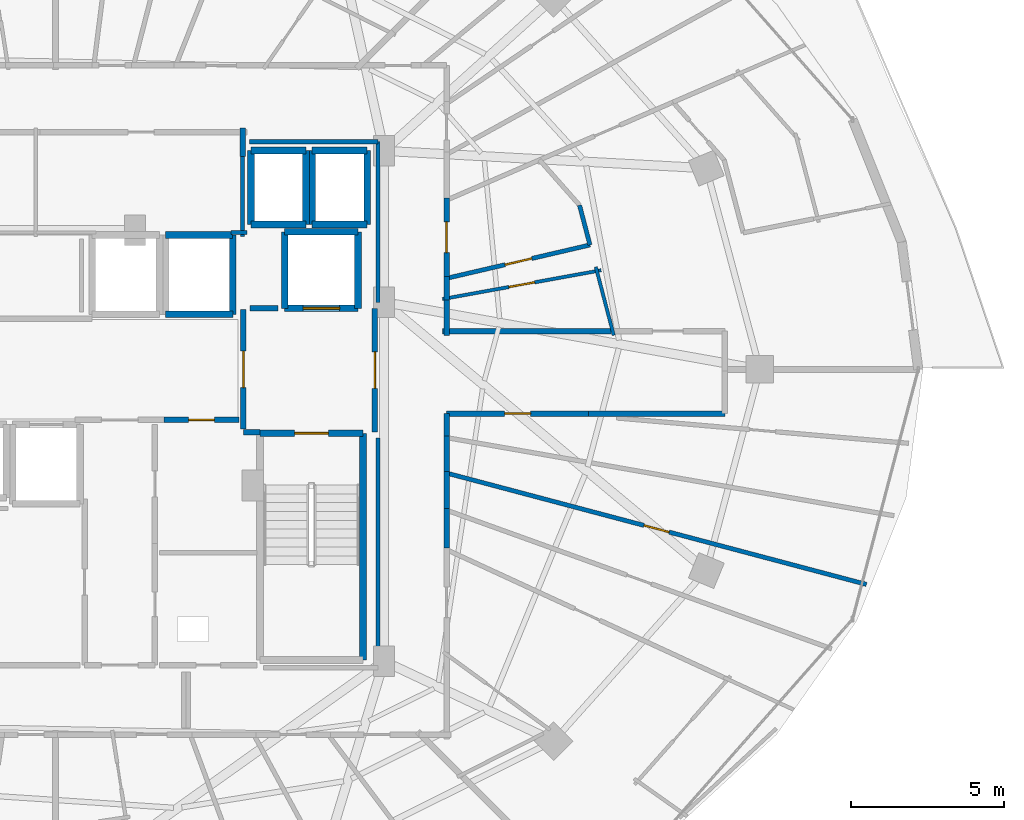
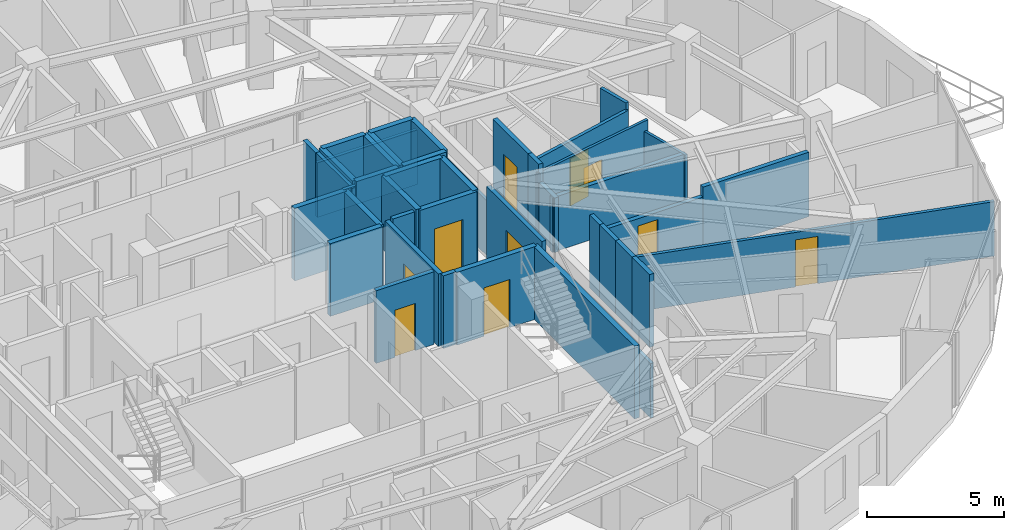
# One storey, part 27 of 33: 43 walls, 10 doors, 10 openings.
"""IFC4 building model written with IfcOpenShell, lengths in metres."""

from ifc_helpers import new_model, si_unit, direction, frame, frame_2d, origin, place, context, subcontext, project, spatial, rectangle, extrude, material, layer, layer_set, type_object, element, fill, save


model = new_model("IFC4")

# Units and contexts
model_context = context("Model", 3, precision=1e-05, world=origin(), true_north=direction((0.0, 1.0)))
body_context = subcontext(model_context, "Body", "Model", "MODEL_VIEW")
ifc_project = project(units=[si_unit("LENGTHUNIT", "METRE"), si_unit("AREAUNIT", "SQUARE_METRE"), si_unit("VOLUMEUNIT", "CUBIC_METRE"), si_unit("PLANEANGLEUNIT", "RADIAN"), si_unit("MASSUNIT", "GRAM", prefix="KILO")], contexts=[model_context])

# Site, building, storey
site_placement = place(None, origin())
site = spatial("IfcSite", under=ifc_project, at=site_placement, CompositionType="ELEMENT")
building_placement = place(site_placement, origin())
building = spatial("IfcBuilding", under=site, at=building_placement, Name="Vorneva Point Tower", CompositionType="ELEMENT")
storey_placement = place(building_placement, frame((0.0, 0.0, 179.10009765625)))
storey = spatial("IfcBuildingStorey", under=building, at=storey_placement, Name="L48", CompositionType="ELEMENT", Elevation=179.10009765625)

# Wall, opening, door
ifc_material_1 = material(Name="Concrete B60 (C50/60)", Category="concrete")
ifc_layer_1 = layer(ifc_material_1, 0.35009765625)
ifc_layer_set_1 = layer_set([ifc_layer_1], Name="Concrete B60 (C50/60)")
wall_type_1 = type_object("IfcWallType", Name="WL-CORE-350", PredefinedType="SHEAR", material=ifc_layer_set_1)
wall_1_placement = place(storey_placement, frame((45.5, 28.0, 0.0), z_axis=(0.0, 0.0, 1.0), x_axis=(1.0, 0.0, 0.0)))
wall_1 = element("IfcWall", 1, at=wall_1_placement, inside=storey, type_object=wall_type_1, Name="L48 Lift FFL2 Shaft Wall -Y", PredefinedType="SHEAR", context=body_context, shape_type="SweptSolid", body=[
    extrude(rectangle(XDim=2.39990234375, YDim=0.219970703125, at=frame_2d((1.199951171875, 0.0))), origin(), (0.0, 0.0, 1.0), 3.239990234375),
])
opening_1_placement = place(wall_1_placement, frame((0.60009765625, 0.0, 0.0)))
opening_1 = element("IfcOpeningElement", 2, at=opening_1_placement, cuts=wall_1, Name="Opening LD-02", PredefinedType="OPENING", context=body_context, shape_type="SweptSolid", body=[
    extrude(rectangle(XDim=1.199951171875, YDim=2.199951171875, at=frame_2d((0.60009765625, 1.10009765625))), frame((0.0, 0.125, 0.0), z_axis=(0.0, -1.0, 0.0), x_axis=(1.0, 0.0, 0.0)), (0.0, 0.0, 1.0), 0.249755859375),
])
ifc_material_2 = material(Name="Brushed stainless steel S304", Category="steel")
door_type_1 = type_object("IfcDoorType", Name="LD-FIRE-1200", OperationType="SLIDING_TO_LEFT", PredefinedType="DOOR", material=ifc_material_2)
door_1_placement = place(opening_1_placement, origin())
door_1 = element("IfcDoor", 3, at=door_1_placement, inside=storey, type_object=door_type_1, Name="L48 Lift FFL2 Sliding Landing Door", OperationType="SLIDING_TO_LEFT", OverallHeight=2.199951171875, OverallWidth=1.199951171875, PredefinedType="DOOR", context=body_context, shape_type="SweptSolid", body=[
    extrude(rectangle(XDim=1.199951171875, YDim=2.199951171875, at=frame_2d((0.60009765625, 1.10009765625))), frame((0.0, 0.02490234375, 0.0), z_axis=(0.0, -1.0, 0.0), x_axis=(1.0, 0.0, 0.0)), (0.0, 0.0, 1.0), 0.050048828125),
])
fill(opening_1, door_1)

# Walls
wall_2_placement = place(storey_placement, frame((47.89990234375, 28.0, 0.0), z_axis=(0.0, 0.0, 1.0), x_axis=(0.0, 1.0, 0.0)))
element("IfcWall", 4, at=wall_2_placement, inside=storey, type_object=wall_type_1, Name="L48 Lift FFL2 Shaft Wall +X", PredefinedType="SHEAR", context=body_context, shape_type="SweptSolid", body=[
    extrude(rectangle(XDim=2.5, YDim=0.219970703125, at=frame_2d((1.25, 0.0))), origin(), (0.0, 0.0, 1.0), 3.239990234375),
])
wall_3_placement = place(storey_placement, frame((47.89990234375, 30.5, 0.0), z_axis=(0.0, 0.0, 1.0), x_axis=(-1.0, 0.0, 0.0)))
element("IfcWall", 5, at=wall_3_placement, inside=storey, type_object=wall_type_1, Name="L48 Lift FFL2 Shaft Wall +Y", PredefinedType="SHEAR", context=body_context, shape_type="SweptSolid", body=[
    extrude(rectangle(XDim=2.39990234375, YDim=0.219970703125, at=frame_2d((1.199951171875, 0.0))), origin(), (0.0, 0.0, 1.0), 3.239990234375),
])
wall_4_placement = place(storey_placement, frame((45.5, 30.5, 0.0), z_axis=(0.0, 0.0, 1.0), x_axis=(0.0, -1.0, 0.0)))
element("IfcWall", 6, at=wall_4_placement, inside=storey, type_object=wall_type_1, Name="L48 Lift FFL2 Shaft Wall -X", PredefinedType="SHEAR", context=body_context, shape_type="SweptSolid", body=[
    extrude(rectangle(XDim=2.5, YDim=0.219970703125, at=frame_2d((1.25, 0.0))), origin(), (0.0, 0.0, 1.0), 3.239990234375),
])

# Wall, opening, door
ifc_material_3 = material(Name="Fire-rated acoustic gypsum stud partition", Category="gypsum")
ifc_layer_2 = layer(ifc_material_3, 0.110107421875)
ifc_layer_set_2 = layer_set([ifc_layer_2], Name="Fire-rated acoustic gypsum stud partition")
wall_type_2 = type_object("IfcWallType", Name="WL-PART-110", PredefinedType="PARTITIONING", material=ifc_layer_set_2)
wall_5_placement = place(storey_placement, frame((50.662353515625, 28.300048828125, 0.0), z_axis=(0.0, 0.0, 1.0), x_axis=(0.983892120625, 0.178763237197, 0.0)))
wall_5 = element("IfcWall", 7, at=wall_5_placement, inside=storey, type_object=wall_type_2, Name="L48 Interior Partition 092", PredefinedType="PARTITIONING", context=body_context, shape_type="SweptSolid", body=[
    extrude(rectangle(XDim=5.2744140625, YDim=0.110107421875, at=frame_2d((2.63720703125, 0.0))), origin(), (0.0, 0.0, 1.0), 2.8740234375),
])
opening_2_placement = place(wall_5_placement, frame((2.212158203125, 0.0, 0.0)))
opening_2 = element("IfcOpeningElement", 8, at=opening_2_placement, cuts=wall_5, Name="Opening ID-02", PredefinedType="OPENING", context=body_context, shape_type="SweptSolid", body=[
    extrude(rectangle(XDim=0.85009765625, YDim=2.10009765625, at=frame_2d((0.425048828125, 1.050048828125))), frame((0.0, 0.06982421875, 0.0), z_axis=(0.0, -1.0, 0.0), x_axis=(1.0, 0.0, 0.0)), (0.0, 0.0, 1.0), 0.139892578125),
])
ifc_material_4 = material(Name="Engineered oak fire-rated door leaf", Category="wood")
door_type_2 = type_object("IfcDoorType", Name="DR-BATH-850", OperationType="NOTDEFINED", PredefinedType="DOOR", material=ifc_material_4)
door_2_placement = place(opening_2_placement, origin())
door_2 = element("IfcDoor", 9, at=door_2_placement, inside=storey, type_object=door_type_2, Name="L48 Door Living and Dining Room L48-01 / Bathroom L48-01", OperationType="SINGLE_SWING_LEFT", OverallHeight=2.10009765625, OverallWidth=0.85009765625, PredefinedType="DOOR", context=body_context, shape_type="SweptSolid", body=[
    extrude(rectangle(XDim=0.85009765625, YDim=2.10009765625, at=frame_2d((0.425048828125, 1.050048828125))), frame((0.0, 0.02490234375, 0.0), z_axis=(0.0, -1.0, 0.0), x_axis=(1.0, 0.0, 0.0)), (0.0, 0.0, 1.0), 0.050048828125),
])
fill(opening_2, door_2)

# Walls
wall_6_placement = place(storey_placement, frame((55.678466796875, 29.353515625, 0.0), z_axis=(0.0, 0.0, 1.0), x_axis=(0.254057219361, -0.96718919002, 0.0)))
element("IfcWall", 10, at=wall_6_placement, inside=storey, type_object=wall_type_2, Name="L48 Interior Partition 093", PredefinedType="PARTITIONING", context=body_context, shape_type="SweptSolid", body=[
    extrude(rectangle(XDim=2.31494140625, YDim=0.110107421875, at=frame_2d((1.157470703125, 0.0))), origin(), (0.0, 0.0, 1.0), 2.431884765625),
])
ifc_layer_3 = layer(ifc_material_3, 0.139892578125)
ifc_layer_set_3 = layer_set([ifc_layer_3], Name="Fire-rated acoustic gypsum stud partition")
wall_type_3 = type_object("IfcWallType", Name="WL-PART-140", PredefinedType="PARTITIONING", material=ifc_layer_set_3)
wall_7_placement = place(storey_placement, frame((55.14697265625, 31.37109375, 0.0), z_axis=(0.0, 0.0, 1.0), x_axis=(0.25443966192, -0.967088650767, 0.0)))
element("IfcWall", 11, at=wall_7_placement, inside=storey, type_object=wall_type_3, Name="L48 Interior Partition 089", PredefinedType="PARTITIONING", context=body_context, shape_type="SweptSolid", body=[
    extrude(rectangle(XDim=1.34423828125, YDim=0.139892578125, at=frame_2d((0.672119140625, 0.0))), origin(), (0.0, 0.0, 1.0), 3.239990234375),
])

# Wall, opening, door
wall_8_placement = place(storey_placement, frame((55.489013671875, 30.071044921875, 0.0), z_axis=(0.0, 0.0, 1.0), x_axis=(-0.973980178663, -0.226633209333, 0.0)))
wall_8 = element("IfcWall", 12, at=wall_8_placement, inside=storey, type_object=wall_type_3, Name="L48 Interior Partition 090", PredefinedType="PARTITIONING", context=body_context, shape_type="SweptSolid", body=[
    extrude(rectangle(XDim=4.814208984375, YDim=0.139892578125, at=frame_2d((2.4072265625, 0.0))), origin(), (0.0, 0.0, 1.0), 2.921875),
])
opening_3_placement = place(wall_8_placement, frame((1.95703125, 0.0, 0.0)))
opening_3 = element("IfcOpeningElement", 13, at=opening_3_placement, cuts=wall_8, Name="Opening ID-01", PredefinedType="OPENING", context=body_context, shape_type="SweptSolid", body=[
    extrude(rectangle(XDim=0.89990234375, YDim=2.10009765625, at=frame_2d((0.449951171875, 1.050048828125))), frame((0.0, 0.0849609375, 0.0), z_axis=(0.0, -1.0, 0.0), x_axis=(1.0, 0.0, 0.0)), (0.0, 0.0, 1.0), 0.169677734375),
])
door_type_3 = type_object("IfcDoorType", Name="DR-ROOM-900", OperationType="NOTDEFINED", PredefinedType="DOOR", material=ifc_material_4)
door_3_placement = place(opening_3_placement, origin())
door_3 = element("IfcDoor", 14, at=door_3_placement, inside=storey, type_object=door_type_3, Name="L48 Door Living and Dining Room L48-01 / Family Dining Room L48-01", OperationType="SINGLE_SWING_RIGHT", OverallHeight=2.10009765625, OverallWidth=0.89990234375, PredefinedType="DOOR", context=body_context, shape_type="SweptSolid", body=[
    extrude(rectangle(XDim=0.89990234375, YDim=2.10009765625, at=frame_2d((0.449951171875, 1.050048828125))), frame((0.0, 0.02490234375, 0.0), z_axis=(0.0, -1.0, 0.0), x_axis=(1.0, 0.0, 0.0)), (0.0, 0.0, 1.0), 0.050048828125),
])
fill(opening_3, door_3)

wall_9_placement = place(storey_placement, frame((64.534912109375, 18.964111328125, 0.0), z_axis=(0.0, 0.0, 1.0), x_axis=(-0.966598137313, 0.256296782934, 0.0)))
wall_9 = element("IfcWall", 15, at=wall_9_placement, inside=storey, type_object=wall_type_3, Name="L48 Interior Partition 186", PredefinedType="PARTITIONING", context=body_context, shape_type="SweptSolid", body=[
    extrude(rectangle(XDim=14.20947265625, YDim=0.139892578125, at=frame_2d((7.104736328125, 0.0))), origin(), (0.0, 0.0, 1.0), 2.431884765625),
])
opening_4_placement = place(wall_9_placement, frame((6.6796875, 0.0, 0.0)))
opening_4 = element("IfcOpeningElement", 16, at=opening_4_placement, cuts=wall_9, Name="Opening ID-02", PredefinedType="OPENING", context=body_context, shape_type="SweptSolid", body=[
    extrude(rectangle(XDim=0.85009765625, YDim=2.10009765625, at=frame_2d((0.425048828125, 1.050048828125))), frame((0.0, 0.0849609375, 0.0), z_axis=(0.0, -1.0, 0.0), x_axis=(1.0, 0.0, 0.0)), (0.0, 0.0, 1.0), 0.169677734375),
])
door_4_placement = place(opening_4_placement, origin())
door_4 = element("IfcDoor", 17, at=door_4_placement, inside=storey, type_object=door_type_2, Name="L48 Access Door Bedroom L48-08.2", OperationType="SINGLE_SWING_RIGHT", OverallHeight=2.10009765625, OverallWidth=0.85009765625, PredefinedType="DOOR", context=body_context, shape_type="SweptSolid", body=[
    extrude(rectangle(XDim=0.85009765625, YDim=2.10009765625, at=frame_2d((0.425048828125, 1.050048828125))), frame((0.0, 0.02490234375, 0.0), z_axis=(0.0, -1.0, 0.0), x_axis=(1.0, 0.0, 0.0)), (0.0, 0.0, 1.0), 0.050048828125),
])
fill(opening_4, door_4)

# Walls
wall_10_placement = place(storey_placement, frame((43.735107421875, 30.47998046875, 0.0), z_axis=(0.0, 0.0, 1.0), x_axis=(1.0, 0.0, 0.0)))
element("IfcWall", 18, at=wall_10_placement, inside=storey, type_object=wall_type_3, Name="L48 Interior Closure Partition 192", PredefinedType="PARTITIONING", context=body_context, shape_type="SweptSolid", body=[
    extrude(rectangle(XDim=0.52490234375, YDim=0.139892578125, at=frame_2d((0.262451171875, 0.0))), origin(), (0.0, 0.0, 1.0), 3.239990234375),
])
wall_11_placement = place(storey_placement, frame((44.1201171875, 30.340087890625, 0.0), z_axis=(0.0, 0.0, 1.0), x_axis=(0.0, 1.0, 0.0)))
element("IfcWall", 19, at=wall_11_placement, inside=storey, type_object=wall_type_3, Name="L48 Interior Closure Partition 193", PredefinedType="PARTITIONING", context=body_context, shape_type="SweptSolid", body=[
    extrude(rectangle(XDim=2.659912109375, YDim=0.139892578125, at=frame_2d((1.330078125, 0.0))), origin(), (0.0, 0.0, 1.0), 3.239990234375),
])
wall_12_placement = place(storey_placement, frame((48.550048828125, 16.239990234375, 0.0), z_axis=(0.0, 0.0, 1.0), x_axis=(0.0, 1.0, 0.0)))
element("IfcWall", 20, at=wall_12_placement, inside=storey, type_object=wall_type_3, Name="L48 Interior Closure Partition 198", PredefinedType="PARTITIONING", context=body_context, shape_type="SweptSolid", body=[
    extrude(rectangle(XDim=7.513916015625, YDim=0.139892578125, at=frame_2d((3.7568359375, 0.0))), origin(), (0.0, 0.0, 1.0), 2.431884765625),
])
wall_13_placement = place(storey_placement, frame((48.550048828125, 28.196044921875, 0.0), z_axis=(0.0, 0.0, 1.0), x_axis=(0.0, 1.0, 0.0)))
element("IfcWall", 21, at=wall_13_placement, inside=storey, type_object=wall_type_3, Name="L48 Interior Closure Partition 199", PredefinedType="PARTITIONING", context=body_context, shape_type="SweptSolid", body=[
    extrude(rectangle(XDim=5.25390625, YDim=0.139892578125, at=frame_2d((2.626953125, 0.0))), origin(), (0.0, 0.0, 1.0), 2.431884765625),
])
wall_14_placement = place(storey_placement, frame((48.550048828125, 33.449951171875, 0.0), z_axis=(0.0, 0.0, 1.0), x_axis=(-1.0, 0.0, 0.0)))
element("IfcWall", 22, at=wall_14_placement, inside=storey, type_object=wall_type_3, Name="L48 Interior Closure Partition 200", PredefinedType="PARTITIONING", context=body_context, shape_type="SweptSolid", body=[
    extrude(rectangle(XDim=4.2099609375, YDim=0.139892578125, at=frame_2d((2.10498046875, 0.0))), origin(), (0.0, 0.0, 1.0), 2.431884765625),
])

# Wall, opening, door
ifc_material_5 = material(Name="Autoclaved aerated concrete blockwork", Category="masonry")
ifc_layer_4 = layer(ifc_material_5, 0.179931640625)
ifc_layer_set_4 = layer_set([ifc_layer_4], Name="Autoclaved aerated concrete blockwork")
wall_type_4 = type_object("IfcWallType", Name="WL-PART-180", PredefinedType="PARTITIONING", material=ifc_layer_set_4)
wall_15_placement = place(storey_placement, frame((44.14990234375, 27.955078125, 0.0), z_axis=(0.0, 0.0, 1.0), x_axis=(0.0, -1.0, 0.0)))
wall_15 = element("IfcWall", 23, at=wall_15_placement, inside=storey, type_object=wall_type_4, Name="L48 Interior Partition 003", PredefinedType="PARTITIONING", context=body_context, shape_type="SweptSolid", body=[
    extrude(rectangle(XDim=3.91015625, YDim=0.179931640625, at=frame_2d((1.955078125, 0.0))), origin(), (0.0, 0.0, 1.0), 3.239990234375),
])
opening_5_placement = place(wall_15_placement, frame((1.35498046875, 0.0, 0.0)))
opening_5 = element("IfcOpeningElement", 24, at=opening_5_placement, cuts=wall_15, Name="Opening FD-02", PredefinedType="OPENING", context=body_context, shape_type="SweptSolid", body=[
    extrude(rectangle(XDim=1.199951171875, YDim=2.14990234375, at=frame_2d((0.60009765625, 1.074951171875))), frame((0.0, 0.10498046875, 0.0), z_axis=(0.0, -1.0, 0.0), x_axis=(1.0, 0.0, 0.0)), (0.0, 0.0, 1.0), 0.209716796875),
])
ifc_material_6 = material(Name="Fire-rated powder-coated steel", Category="steel")
door_type_4 = type_object("IfcDoorType", Name="DR-FFL-1200", OperationType="NOTDEFINED", PredefinedType="DOOR", material=ifc_material_6)
door_5_placement = place(opening_5_placement, origin())
door_5 = element("IfcDoor", 25, at=door_5_placement, inside=storey, type_object=door_type_4, Name="L48 Door East Firefighting Lobby / Central Lift Lobby", OperationType="SINGLE_SWING_LEFT", OverallHeight=2.14990234375, OverallWidth=1.199951171875, PredefinedType="DOOR", context=body_context, shape_type="SweptSolid", body=[
    extrude(rectangle(XDim=1.199951171875, YDim=2.14990234375, at=frame_2d((0.60009765625, 1.074951171875))), frame((0.0, 0.02490234375, 0.0), z_axis=(0.0, -1.0, 0.0), x_axis=(1.0, 0.0, 0.0)), (0.0, 0.0, 1.0), 0.050048828125),
])
fill(opening_5, door_5)

# Wall
wall_16_placement = place(storey_placement, frame((44.14990234375, 23.949951171875, 0.0), z_axis=(0.0, 0.0, 1.0), x_axis=(1.0, 0.0, 0.0)))
element("IfcWall", 26, at=wall_16_placement, inside=storey, type_object=wall_type_4, Name="L48 Interior Partition 004", PredefinedType="PARTITIONING", context=body_context, shape_type="SweptSolid", body=[
    extrude(rectangle(XDim=0.5400390625, YDim=0.179931640625, at=frame_2d((0.27001953125, 0.0))), origin(), (0.0, 0.0, 1.0), 3.239990234375),
])

# Wall, opening, door
wall_17_placement = place(storey_placement, frame((48.449951171875, 23.949951171875, 0.0), z_axis=(0.0, 0.0, 1.0), x_axis=(0.0, 1.0, 0.0)))
wall_17 = element("IfcWall", 27, at=wall_17_placement, inside=storey, type_object=wall_type_4, Name="L48 Interior Partition 005", PredefinedType="PARTITIONING", context=body_context, shape_type="SweptSolid", body=[
    extrude(rectangle(XDim=4.050048828125, YDim=0.179931640625, at=frame_2d((2.02490234375, 0.0))), origin(), (0.0, 0.0, 1.0), 3.239990234375),
])
opening_6_placement = place(wall_17_placement, frame((1.425048828125, 0.0, 0.0)))
opening_6 = element("IfcOpeningElement", 28, at=opening_6_placement, cuts=wall_17, Name="Opening FD-02", PredefinedType="OPENING", context=body_context, shape_type="SweptSolid", body=[
    extrude(rectangle(XDim=1.199951171875, YDim=2.14990234375, at=frame_2d((0.60009765625, 1.074951171875))), frame((0.0, 0.10498046875, 0.0), z_axis=(0.0, -1.0, 0.0), x_axis=(1.0, 0.0, 0.0)), (0.0, 0.0, 1.0), 0.209716796875),
])
door_6_placement = place(opening_6_placement, origin())
door_6 = element("IfcDoor", 29, at=door_6_placement, inside=storey, type_object=door_type_4, Name="L48 Door East Firefighting Lobby / L48 Circulation Corridor", OperationType="SINGLE_SWING_LEFT", OverallHeight=2.14990234375, OverallWidth=1.199951171875, PredefinedType="DOOR", context=body_context, shape_type="SweptSolid", body=[
    extrude(rectangle(XDim=1.199951171875, YDim=2.14990234375, at=frame_2d((0.60009765625, 1.074951171875))), frame((0.0, 0.02490234375, 0.0), z_axis=(0.0, -1.0, 0.0), x_axis=(1.0, 0.0, 0.0)), (0.0, 0.0, 1.0), 0.050048828125),
])
fill(opening_6, door_6)

wall_18_placement = place(storey_placement, frame((41.554931640625, 24.35009765625, 0.0), z_axis=(0.0, 0.0, 1.0), x_axis=(1.0, 0.0, 0.0)))
wall_18 = element("IfcWall", 30, at=wall_18_placement, inside=storey, type_object=wall_type_4, Name="L48 Interior Partition 011", PredefinedType="PARTITIONING", context=body_context, shape_type="SweptSolid", body=[
    extrude(rectangle(XDim=2.445068359375, YDim=0.179931640625, at=frame_2d((1.22265625, 0.0))), origin(), (0.0, 0.0, 1.0), 3.239990234375),
])
opening_7_placement = place(wall_18_placement, frame((0.797607421875, 0.0, 0.0)))
opening_7 = element("IfcOpeningElement", 31, at=opening_7_placement, cuts=wall_18, Name="Opening ID-02", PredefinedType="OPENING", context=body_context, shape_type="SweptSolid", body=[
    extrude(rectangle(XDim=0.85009765625, YDim=2.10009765625, at=frame_2d((0.425048828125, 1.050048828125))), frame((0.0, 0.10498046875, 0.0), z_axis=(0.0, -1.0, 0.0), x_axis=(1.0, 0.0, 0.0)), (0.0, 0.0, 1.0), 0.209716796875),
])
door_7_placement = place(opening_7_placement, origin())
door_7 = element("IfcDoor", 32, at=door_7_placement, inside=storey, type_object=door_type_2, Name="L48 Door Central Lift Lobby / Cleaners Store", OperationType="SINGLE_SWING_LEFT", OverallHeight=2.10009765625, OverallWidth=0.85009765625, PredefinedType="DOOR", context=body_context, shape_type="SweptSolid", body=[
    extrude(rectangle(XDim=0.85009765625, YDim=2.10009765625, at=frame_2d((0.425048828125, 1.050048828125))), frame((0.0, 0.02490234375, 0.0), z_axis=(0.0, -1.0, 0.0), x_axis=(1.0, 0.0, 0.0)), (0.0, 0.0, 1.0), 0.050048828125),
])
fill(opening_7, door_7)

# Walls
wall_19_placement = place(storey_placement, frame((44.1201171875, 32.969970703125, 0.0), z_axis=(0.0, 0.0, 1.0), x_axis=(0.0, 1.0, 0.0)))
element("IfcWall", 33, at=wall_19_placement, inside=storey, type_object=wall_type_4, Name="L48 Interior Partition 024", PredefinedType="PARTITIONING", context=body_context, shape_type="SweptSolid", body=[
    extrude(rectangle(XDim=0.929931640625, YDim=0.179931640625, at=frame_2d((0.46484375, 0.0))), origin(), (0.0, 0.0, 1.0), 3.239990234375),
])
wall_20_placement = place(storey_placement, frame((50.800048828125, 28.264892578125, 0.0), z_axis=(0.0, 0.0, 1.0), x_axis=(0.0, 1.0, 0.0)))
element("IfcWall", 34, at=wall_20_placement, inside=storey, type_object=wall_type_4, Name="L48 Interior Partition 028", PredefinedType="PARTITIONING", context=body_context, shape_type="SweptSolid", body=[
    extrude(rectangle(XDim=0.777099609375, YDim=0.179931640625, at=frame_2d((0.388671875, 0.0))), origin(), (0.0, 0.0, 1.0), 3.239990234375),
])

# Wall, opening, door
wall_21_placement = place(storey_placement, frame((50.800048828125, 29.0419921875, 0.0), z_axis=(0.0, 0.0, 1.0), x_axis=(0.0, 1.0, 0.0)))
wall_21 = element("IfcWall", 35, at=wall_21_placement, inside=storey, type_object=wall_type_4, Name="L48 Interior Partition 029", PredefinedType="PARTITIONING", context=body_context, shape_type="SweptSolid", body=[
    extrude(rectangle(XDim=2.56201171875, YDim=0.179931640625, at=frame_2d((1.281005859375, 0.0))), origin(), (0.0, 0.0, 1.0), 3.239990234375),
])
opening_8_placement = place(wall_21_placement, frame((0.781005859375, 0.0, 0.0)))
opening_8 = element("IfcOpeningElement", 36, at=opening_8_placement, cuts=wall_21, Name="Opening UD-01", PredefinedType="OPENING", context=body_context, shape_type="SweptSolid", body=[
    extrude(rectangle(XDim=1.0, YDim=2.14990234375, at=frame_2d((0.5, 1.074951171875))), frame((0.0, 0.10498046875, 0.0), z_axis=(0.0, -1.0, 0.0), x_axis=(1.0, 0.0, 0.0)), (0.0, 0.0, 1.0), 0.209716796875),
])
door_type_5 = type_object("IfcDoorType", Name="DR-UNIT-1000", OperationType="NOTDEFINED", PredefinedType="DOOR", material=ifc_material_4)
door_8_placement = place(opening_8_placement, origin())
door_8 = element("IfcDoor", 37, at=door_8_placement, inside=storey, type_object=door_type_5, Name="L48 Door L48 Circulation Corridor / Family Dining Room L48-01", OperationType="SINGLE_SWING_RIGHT", OverallHeight=2.14990234375, OverallWidth=1.0, PredefinedType="DOOR", context=body_context, shape_type="SweptSolid", body=[
    extrude(rectangle(XDim=1.0, YDim=2.14990234375, at=frame_2d((0.5, 1.074951171875))), frame((0.0, 0.02490234375, 0.0), z_axis=(0.0, -1.0, 0.0), x_axis=(1.0, 0.0, 0.0)), (0.0, 0.0, 1.0), 0.050048828125),
])
fill(opening_8, door_8)

# Walls
wall_22_placement = place(storey_placement, frame((56.30908203125, 27.25, 0.0), z_axis=(0.0, 0.0, 1.0), x_axis=(-1.0, 0.0, 0.0)))
element("IfcWall", 38, at=wall_22_placement, inside=storey, type_object=wall_type_4, Name="L48 Interior Partition 030", PredefinedType="PARTITIONING", context=body_context, shape_type="SweptSolid", body=[
    extrude(rectangle(XDim=5.649169921875, YDim=0.179931640625, at=frame_2d((2.82470703125, 0.0))), origin(), (0.0, 0.0, 1.0), 2.431884765625),
])
wall_23_placement = place(storey_placement, frame((50.800048828125, 27.110107421875, 0.0), z_axis=(0.0, 0.0, 1.0), x_axis=(0.0, 1.0, 0.0)))
element("IfcWall", 39, at=wall_23_placement, inside=storey, type_object=wall_type_4, Name="L48 Interior Partition 031", PredefinedType="PARTITIONING", context=body_context, shape_type="SweptSolid", body=[
    extrude(rectangle(XDim=1.294921875, YDim=0.179931640625, at=frame_2d((0.6474609375, 0.0))), origin(), (0.0, 0.0, 1.0), 2.431884765625),
])
wall_24_placement = place(storey_placement, frame((50.800048828125, 20.158935546875, 0.0), z_axis=(0.0, 0.0, 1.0), x_axis=(0.0, 1.0, 0.0)))
element("IfcWall", 40, at=wall_24_placement, inside=storey, type_object=wall_type_4, Name="L48 Interior Partition 081", PredefinedType="PARTITIONING", context=body_context, shape_type="SweptSolid", body=[
    extrude(rectangle(XDim=1.29296875, YDim=0.179931640625, at=frame_2d((0.646484375, 0.0))), origin(), (0.0, 0.0, 1.0), 3.239990234375),
])
wall_25_placement = place(storey_placement, frame((50.800048828125, 21.451904296875, 0.0), z_axis=(0.0, 0.0, 1.0), x_axis=(0.0, 1.0, 0.0)))
element("IfcWall", 41, at=wall_25_placement, inside=storey, type_object=wall_type_4, Name="L48 Interior Partition 082", PredefinedType="PARTITIONING", context=body_context, shape_type="SweptSolid", body=[
    extrude(rectangle(XDim=1.214111328125, YDim=0.179931640625, at=frame_2d((0.60693359375, 0.0))), origin(), (0.0, 0.0, 1.0), 3.239990234375),
])
wall_26_placement = place(storey_placement, frame((50.800048828125, 22.666015625, 0.0), z_axis=(0.0, 0.0, 1.0), x_axis=(0.0, 1.0, 0.0)))
element("IfcWall", 42, at=wall_26_placement, inside=storey, type_object=wall_type_4, Name="L48 Interior Partition 083", PredefinedType="PARTITIONING", context=body_context, shape_type="SweptSolid", body=[
    extrude(rectangle(XDim=1.159912109375, YDim=0.179931640625, at=frame_2d((0.580078125, 0.0))), origin(), (0.0, 0.0, 1.0), 3.239990234375),
])
wall_27_placement = place(storey_placement, frame((50.800048828125, 23.825927734375, 0.0), z_axis=(0.0, 0.0, 1.0), x_axis=(0.0, 1.0, 0.0)))
element("IfcWall", 43, at=wall_27_placement, inside=storey, type_object=wall_type_4, Name="L48 Interior Partition 084", PredefinedType="PARTITIONING", context=body_context, shape_type="SweptSolid", body=[
    extrude(rectangle(XDim=0.72412109375, YDim=0.179931640625, at=frame_2d((0.362060546875, 0.0))), origin(), (0.0, 0.0, 1.0), 3.239990234375),
])

# Wall, opening, door
wall_28_placement = place(storey_placement, frame((50.800048828125, 24.550048828125, 0.0), z_axis=(0.0, 0.0, 1.0), x_axis=(1.0, 0.0, 0.0)))
wall_28 = element("IfcWall", 44, at=wall_28_placement, inside=storey, type_object=wall_type_4, Name="L48 Interior Partition 085", PredefinedType="PARTITIONING", context=body_context, shape_type="SweptSolid", body=[
    extrude(rectangle(XDim=4.636962890625, YDim=0.179931640625, at=frame_2d((2.318359375, 0.0))), origin(), (0.0, 0.0, 1.0), 2.431884765625),
])
opening_9_placement = place(wall_28_placement, frame((1.8935546875, 0.0, 0.0)))
opening_9 = element("IfcOpeningElement", 45, at=opening_9_placement, cuts=wall_28, Name="Opening ID-02", PredefinedType="OPENING", context=body_context, shape_type="SweptSolid", body=[
    extrude(rectangle(XDim=0.85009765625, YDim=2.10009765625, at=frame_2d((0.425048828125, 1.050048828125))), frame((0.0, 0.10498046875, 0.0), z_axis=(0.0, -1.0, 0.0), x_axis=(1.0, 0.0, 0.0)), (0.0, 0.0, 1.0), 0.209716796875),
])
door_9_placement = place(opening_9_placement, origin())
door_9 = element("IfcDoor", 46, at=door_9_placement, inside=storey, type_object=door_type_2, Name="L48 Access Door L48 Circulation Corridor", OperationType="SINGLE_SWING_RIGHT", OverallHeight=2.10009765625, OverallWidth=0.85009765625, PredefinedType="DOOR", context=body_context, shape_type="SweptSolid", body=[
    extrude(rectangle(XDim=0.85009765625, YDim=2.10009765625, at=frame_2d((0.425048828125, 1.050048828125))), frame((0.0, 0.02490234375, 0.0), z_axis=(0.0, -1.0, 0.0), x_axis=(1.0, 0.0, 0.0)), (0.0, 0.0, 1.0), 0.050048828125),
])
fill(opening_9, door_9)

# Walls
wall_29_placement = place(storey_placement, frame((55.43701171875, 24.550048828125, 0.0), z_axis=(0.0, 0.0, 1.0), x_axis=(1.0, 0.0, 0.0)))
element("IfcWall", 47, at=wall_29_placement, inside=storey, type_object=wall_type_4, Name="L48 Interior Partition 086", PredefinedType="PARTITIONING", context=body_context, shape_type="SweptSolid", body=[
    extrude(rectangle(XDim=4.462890625, YDim=0.179931640625, at=frame_2d((2.2314453125, 0.0))), origin(), (0.0, 0.0, 1.0), 2.8740234375),
])
wall_30_placement = place(storey_placement, frame((45.280029296875, 28.0, 0.0), z_axis=(0.0, 0.0, 1.0), x_axis=(-1.0, 0.0, 0.0)))
element("IfcWall", 48, at=wall_30_placement, inside=storey, type_object=wall_type_4, Name="L48 Interior Closure Partition 190", PredefinedType="PARTITIONING", context=body_context, shape_type="SweptSolid", body=[
    extrude(rectangle(XDim=0.9150390625, YDim=0.179931640625, at=frame_2d((0.45751953125, 0.0))), origin(), (0.0, 0.0, 1.0), 3.239990234375),
])

# Wall, opening, door
ifc_material_7 = material(Name="Concrete B50 (C40/50)", Category="concrete")
ifc_layer_5 = layer(ifc_material_7, 0.219970703125)
ifc_layer_set_5 = layer_set([ifc_layer_5], Name="Concrete B50 (C40/50)")
wall_type_5 = type_object("IfcWallType", Name="WL-SHFT-220", PredefinedType="SOLIDWALL", material=ifc_layer_set_5)
wall_31_placement = place(storey_placement, frame((44.68994140625, 23.909912109375, 0.0), z_axis=(0.0, 0.0, 1.0), x_axis=(1.0, 0.0, 0.0)))
wall_31 = element("IfcWall", 49, at=wall_31_placement, inside=storey, type_object=wall_type_5, Name="L48 Exit Stair ST2 Shaft Wall near", PredefinedType="SOLIDWALL", context=body_context, shape_type="SweptSolid", body=[
    extrude(rectangle(XDim=3.3701171875, YDim=0.219970703125, at=frame_2d((1.68505859375, 0.0))), origin(), (0.0, 0.0, 1.0), 3.239990234375),
])
opening_10_placement = place(wall_31_placement, frame((1.135009765625, 0.0, 0.0)))
opening_10 = element("IfcOpeningElement", 50, at=opening_10_placement, cuts=wall_31, Name="Opening FD-01", PredefinedType="OPENING", context=body_context, shape_type="SweptSolid", body=[
    extrude(rectangle(XDim=1.10009765625, YDim=2.14990234375, at=frame_2d((0.550048828125, 1.074951171875))), frame((0.0, 0.125, 0.0), z_axis=(0.0, -1.0, 0.0), x_axis=(1.0, 0.0, 0.0)), (0.0, 0.0, 1.0), 0.249755859375),
])
door_type_6 = type_object("IfcDoorType", Name="DR-STAIR-1100", OperationType="NOTDEFINED", PredefinedType="DOOR", material=ifc_material_6)
door_10_placement = place(opening_10_placement, origin())
door_10 = element("IfcDoor", 51, at=door_10_placement, inside=storey, type_object=door_type_6, Name="L48 Exit Stair ST2 Fire Door", OperationType="SINGLE_SWING_LEFT", OverallHeight=2.14990234375, OverallWidth=1.10009765625, PredefinedType="DOOR", context=body_context, shape_type="SweptSolid", body=[
    extrude(rectangle(XDim=1.10009765625, YDim=2.14990234375, at=frame_2d((0.550048828125, 1.074951171875))), frame((0.0, 0.02490234375, 0.0), z_axis=(0.0, -1.0, 0.0), x_axis=(1.0, 0.0, 0.0)), (0.0, 0.0, 1.0), 0.050048828125),
])
fill(opening_10, door_10)

# Walls
wall_32_placement = place(storey_placement, frame((48.06005859375, 23.909912109375, 0.0), z_axis=(0.0, 0.0, 1.0), x_axis=(0.0, -1.0, 0.0)))
element("IfcWall", 52, at=wall_32_placement, inside=storey, type_object=wall_type_5, Name="L48 Exit Stair ST2 Shaft Wall right", PredefinedType="SOLIDWALL", context=body_context, shape_type="SweptSolid", body=[
    extrude(rectangle(XDim=7.419921875, YDim=0.219970703125, at=frame_2d((3.7099609375, 0.0))), origin(), (0.0, 0.0, 1.0), 3.239990234375),
])
wall_33_placement = place(storey_placement, frame((41.60009765625, 27.800048828125, 0.0), z_axis=(0.0, 0.0, 1.0), x_axis=(1.0, 0.0, 0.0)))
element("IfcWall", 53, at=wall_33_placement, inside=storey, type_object=wall_type_5, Name="L48 Lift PL8 Shaft Wall -Y", PredefinedType="SOLIDWALL", context=body_context, shape_type="SweptSolid", body=[
    extrude(rectangle(XDim=2.199951171875, YDim=0.219970703125, at=frame_2d((1.10009765625, 0.0))), origin(), (0.0, 0.0, 1.0), 3.239990234375),
])
wall_34_placement = place(storey_placement, frame((43.800048828125, 27.800048828125, 0.0), z_axis=(0.0, 0.0, 1.0), x_axis=(0.0, 1.0, 0.0)))
element("IfcWall", 54, at=wall_34_placement, inside=storey, type_object=wall_type_5, Name="L48 Lift PL8 Shaft Wall +X", PredefinedType="SOLIDWALL", context=body_context, shape_type="SweptSolid", body=[
    extrude(rectangle(XDim=2.599853515625, YDim=0.219970703125, at=frame_2d((1.2998046875, 0.0))), origin(), (0.0, 0.0, 1.0), 3.239990234375),
])
wall_35_placement = place(storey_placement, frame((43.800048828125, 30.39990234375, 0.0), z_axis=(0.0, 0.0, 1.0), x_axis=(-1.0, 0.0, 0.0)))
element("IfcWall", 55, at=wall_35_placement, inside=storey, type_object=wall_type_5, Name="L48 Lift PL8 Shaft Wall +Y", PredefinedType="SOLIDWALL", context=body_context, shape_type="SweptSolid", body=[
    extrude(rectangle(XDim=2.199951171875, YDim=0.219970703125, at=frame_2d((1.10009765625, 0.0))), origin(), (0.0, 0.0, 1.0), 3.239990234375),
])
wall_36_placement = place(storey_placement, frame((44.39990234375, 30.739990234375, 0.0), z_axis=(0.0, 0.0, 1.0), x_axis=(1.0, 0.0, 0.0)))
element("IfcWall", 56, at=wall_36_placement, inside=storey, type_object=wall_type_5, Name="L48 Lift EX1 Shaft Wall -Y", PredefinedType="SOLIDWALL", context=body_context, shape_type="SweptSolid", body=[
    extrude(rectangle(XDim=1.800048828125, YDim=0.219970703125, at=frame_2d((0.89990234375, 0.0))), origin(), (0.0, 0.0, 1.0), 3.239990234375),
])
wall_37_placement = place(storey_placement, frame((46.199951171875, 30.739990234375, 0.0), z_axis=(0.0, 0.0, 1.0), x_axis=(0.0, 1.0, 0.0)))
element("IfcWall", 57, at=wall_37_placement, inside=storey, type_object=wall_type_5, Name="L48 Lift EX1 Shaft Wall +X", PredefinedType="SOLIDWALL", context=body_context, shape_type="SweptSolid", body=[
    extrude(rectangle(XDim=2.419921875, YDim=0.219970703125, at=frame_2d((1.2099609375, 0.0))), origin(), (0.0, 0.0, 1.0), 3.239990234375),
])
wall_38_placement = place(storey_placement, frame((46.199951171875, 33.159912109375, 0.0), z_axis=(0.0, 0.0, 1.0), x_axis=(-1.0, 0.0, 0.0)))
element("IfcWall", 58, at=wall_38_placement, inside=storey, type_object=wall_type_5, Name="L48 Lift EX1 Shaft Wall +Y", PredefinedType="SOLIDWALL", context=body_context, shape_type="SweptSolid", body=[
    extrude(rectangle(XDim=1.800048828125, YDim=0.219970703125, at=frame_2d((0.89990234375, 0.0))), origin(), (0.0, 0.0, 1.0), 3.239990234375),
])
wall_39_placement = place(storey_placement, frame((44.39990234375, 33.159912109375, 0.0), z_axis=(0.0, 0.0, 1.0), x_axis=(0.0, -1.0, 0.0)))
element("IfcWall", 59, at=wall_39_placement, inside=storey, type_object=wall_type_5, Name="L48 Lift EX1 Shaft Wall -X", PredefinedType="SOLIDWALL", context=body_context, shape_type="SweptSolid", body=[
    extrude(rectangle(XDim=2.419921875, YDim=0.219970703125, at=frame_2d((1.2099609375, 0.0))), origin(), (0.0, 0.0, 1.0), 3.239990234375),
])
wall_40_placement = place(storey_placement, frame((46.39990234375, 30.739990234375, 0.0), z_axis=(0.0, 0.0, 1.0), x_axis=(1.0, 0.0, 0.0)))
element("IfcWall", 60, at=wall_40_placement, inside=storey, type_object=wall_type_5, Name="L48 Lift EX2 Shaft Wall -Y", PredefinedType="SOLIDWALL", context=body_context, shape_type="SweptSolid", body=[
    extrude(rectangle(XDim=1.800048828125, YDim=0.219970703125, at=frame_2d((0.89990234375, 0.0))), origin(), (0.0, 0.0, 1.0), 3.239990234375),
])
wall_41_placement = place(storey_placement, frame((48.199951171875, 30.739990234375, 0.0), z_axis=(0.0, 0.0, 1.0), x_axis=(0.0, 1.0, 0.0)))
element("IfcWall", 61, at=wall_41_placement, inside=storey, type_object=wall_type_5, Name="L48 Lift EX2 Shaft Wall +X", PredefinedType="SOLIDWALL", context=body_context, shape_type="SweptSolid", body=[
    extrude(rectangle(XDim=2.419921875, YDim=0.219970703125, at=frame_2d((1.2099609375, 0.0))), origin(), (0.0, 0.0, 1.0), 3.239990234375),
])
wall_42_placement = place(storey_placement, frame((48.199951171875, 33.159912109375, 0.0), z_axis=(0.0, 0.0, 1.0), x_axis=(-1.0, 0.0, 0.0)))
element("IfcWall", 62, at=wall_42_placement, inside=storey, type_object=wall_type_5, Name="L48 Lift EX2 Shaft Wall +Y", PredefinedType="SOLIDWALL", context=body_context, shape_type="SweptSolid", body=[
    extrude(rectangle(XDim=1.800048828125, YDim=0.219970703125, at=frame_2d((0.89990234375, 0.0))), origin(), (0.0, 0.0, 1.0), 3.239990234375),
])
wall_43_placement = place(storey_placement, frame((46.39990234375, 33.159912109375, 0.0), z_axis=(0.0, 0.0, 1.0), x_axis=(0.0, -1.0, 0.0)))
element("IfcWall", 63, at=wall_43_placement, inside=storey, type_object=wall_type_5, Name="L48 Lift EX2 Shaft Wall -X", PredefinedType="SOLIDWALL", context=body_context, shape_type="SweptSolid", body=[
    extrude(rectangle(XDim=2.419921875, YDim=0.219970703125, at=frame_2d((1.2099609375, 0.0))), origin(), (0.0, 0.0, 1.0), 3.239990234375),
])

save(model, "model.ifc")
